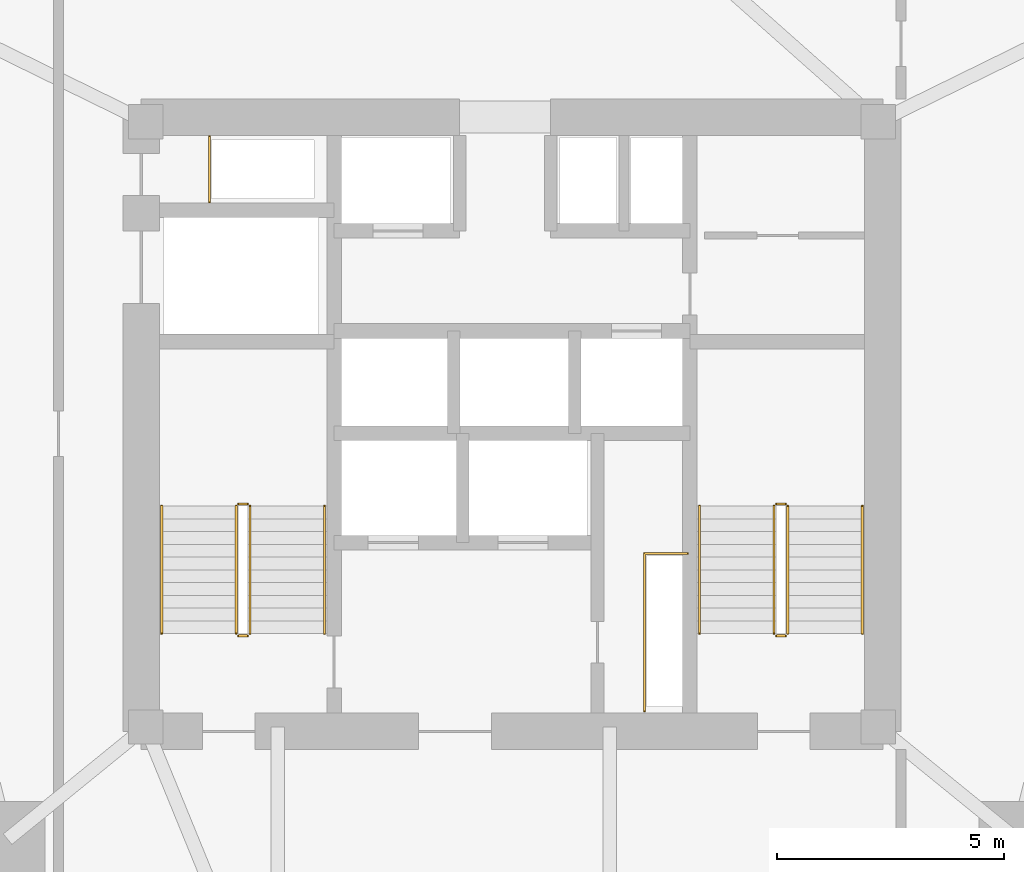
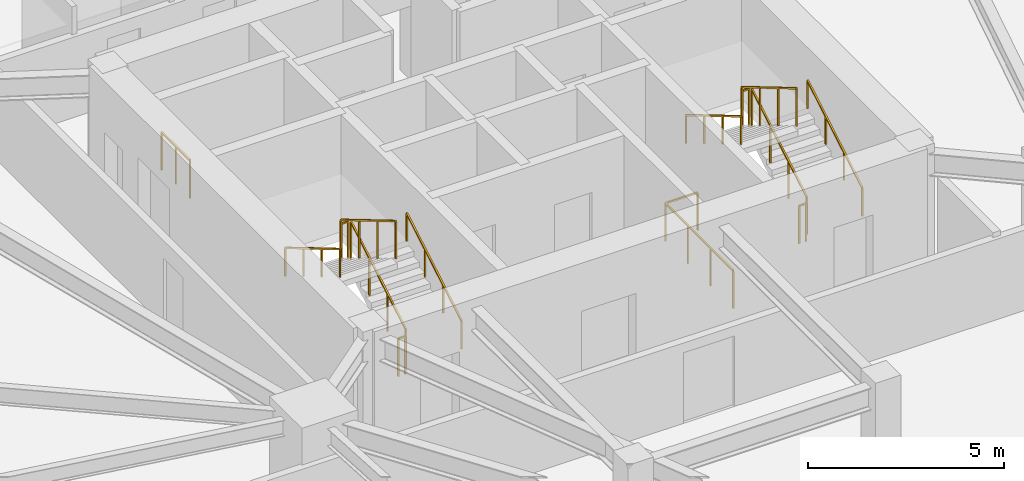
# One storey, part 19 of 20: 14 railings.
"""IFC4 building model written with IfcOpenShell, lengths in metres."""

from ifc_helpers import new_model, si_unit, direction, frame, origin, origin_2d, place, context, subcontext, project, spatial, rectangle, extrude, material, type_object, element, save


model = new_model("IFC4")

# Units and contexts
model_context = context("Model", 3, precision=1e-05, world=origin(), true_north=direction((0.0, 1.0)))
body_context = subcontext(model_context, "Body", "Model", "MODEL_VIEW")
ifc_project = project(units=[si_unit("LENGTHUNIT", "METRE"), si_unit("AREAUNIT", "SQUARE_METRE"), si_unit("VOLUMEUNIT", "CUBIC_METRE"), si_unit("PLANEANGLEUNIT", "RADIAN"), si_unit("MASSUNIT", "GRAM", prefix="KILO")], contexts=[model_context])

# Site, building, storey
site_placement = place(None, origin())
site = spatial("IfcSite", under=ifc_project, at=site_placement, CompositionType="ELEMENT")
building_placement = place(site_placement, origin())
building = spatial("IfcBuilding", under=site, at=building_placement, Name="Talyreon Biosciences Tower", CompositionType="ELEMENT")
storey_placement = place(building_placement, frame((0.0, 0.0, 78.64990234375)))
storey = spatial("IfcBuildingStorey", under=building, at=storey_placement, Name="L20", CompositionType="ELEMENT", Elevation=78.64990234375)

# Railings
ifc_material_1 = material(Name="Brushed stainless-steel tubular handrail", Category="steel")
railing_type_1 = type_object("IfcRailingType", Name="StairWallHandrail_900", PredefinedType="HANDRAIL", material=ifc_material_1)
railing_1_placement = place(storey_placement, frame((61.8798828125, 63.39990234375, 0.166015625)))
element("IfcRailing", 1, at=railing_1_placement, inside=storey, type_object=railing_type_1, Name="L20 ST-1 stair handrail 1", PredefinedType="HANDRAIL", context=body_context, shape_type="SweptSolid", body=[
    extrude(rectangle(XDim=0.048095703125, YDim=0.048095703125, at=origin_2d()), frame((0.0, 0.0, 0.8759765625), z_axis=(0.0, 0.860306154799, 0.50977771628), x_axis=(-1.0, 0.0, 0.0)), (0.0, 0.0, 1.0), 3.254638671875),
    extrude(rectangle(XDim=0.0419921875, YDim=0.0419921875, at=origin_2d()), origin(), (0.0, 0.0, 1.0), 0.851806640625),
    extrude(rectangle(XDim=0.0419921875, YDim=0.0419921875, at=origin_2d()), frame((0.0, 0.933349609375, 0.552978515625)), (0.0, 0.0, 1.0), 0.851806640625),
    extrude(rectangle(XDim=0.0419921875, YDim=0.0419921875, at=origin_2d()), frame((0.0, 1.86669921875, 1.106201171875)), (0.0, 0.0, 1.0), 0.851806640625),
    extrude(rectangle(XDim=0.0419921875, YDim=0.0419921875, at=origin_2d()), frame((0.0, 2.800048828125, 1.6591796875)), (0.0, 0.0, 1.0), 0.851806640625),
])
railing_2_placement = place(storey_placement, frame((58.300048828125, 66.199951171875, 1.990966796875)))
element("IfcRailing", 2, at=railing_2_placement, inside=storey, type_object=railing_type_1, Name="L20 ST-1 stair handrail 2", PredefinedType="HANDRAIL", context=body_context, shape_type="SweptSolid", body=[
    extrude(rectangle(XDim=0.048095703125, YDim=0.048095703125, at=origin_2d()), frame((0.0, 0.0, 0.8759765625), z_axis=(0.0, -0.860306154799, 0.50977771628), x_axis=(1.0, 0.0, 0.0)), (0.0, 0.0, 1.0), 3.254638671875),
    extrude(rectangle(XDim=0.0419921875, YDim=0.0419921875, at=origin_2d()), origin(), (0.0, 0.0, 1.0), 0.851806640625),
    extrude(rectangle(XDim=0.0419921875, YDim=0.0419921875, at=origin_2d()), frame((0.0, -0.933349609375, 0.552978515625)), (0.0, 0.0, 1.0), 0.851806640625),
    extrude(rectangle(XDim=0.0419921875, YDim=0.0419921875, at=origin_2d()), frame((0.0, -1.86669921875, 1.106201171875)), (0.0, 0.0, 1.0), 0.851806640625),
    extrude(rectangle(XDim=0.0419921875, YDim=0.0419921875, at=origin_2d()), frame((0.0, -2.800048828125, 1.6591796875)), (0.0, 0.0, 1.0), 0.851806640625),
])
railing_3_placement = place(storey_placement, frame((73.699951171875, 63.39990234375, 0.166015625)))
element("IfcRailing", 3, at=railing_3_placement, inside=storey, type_object=railing_type_1, Name="L20 ST-2 stair handrail 1", PredefinedType="HANDRAIL", context=body_context, shape_type="SweptSolid", body=[
    extrude(rectangle(XDim=0.048095703125, YDim=0.048095703125, at=origin_2d()), frame((0.0, 0.0, 0.8759765625), z_axis=(0.0, 0.860306154799, 0.50977771628), x_axis=(-1.0, 0.0, 0.0)), (0.0, 0.0, 1.0), 3.254638671875),
    extrude(rectangle(XDim=0.0419921875, YDim=0.0419921875, at=origin_2d()), origin(), (0.0, 0.0, 1.0), 0.851806640625),
    extrude(rectangle(XDim=0.0419921875, YDim=0.0419921875, at=origin_2d()), frame((0.0, 0.933349609375, 0.552978515625)), (0.0, 0.0, 1.0), 0.851806640625),
    extrude(rectangle(XDim=0.0419921875, YDim=0.0419921875, at=origin_2d()), frame((0.0, 1.86669921875, 1.106201171875)), (0.0, 0.0, 1.0), 0.851806640625),
    extrude(rectangle(XDim=0.0419921875, YDim=0.0419921875, at=origin_2d()), frame((0.0, 2.800048828125, 1.6591796875)), (0.0, 0.0, 1.0), 0.851806640625),
])
railing_4_placement = place(storey_placement, frame((70.1201171875, 66.199951171875, 1.990966796875)))
element("IfcRailing", 4, at=railing_4_placement, inside=storey, type_object=railing_type_1, Name="L20 ST-2 stair handrail 2", PredefinedType="HANDRAIL", context=body_context, shape_type="SweptSolid", body=[
    extrude(rectangle(XDim=0.048095703125, YDim=0.048095703125, at=origin_2d()), frame((0.0, 0.0, 0.8759765625), z_axis=(0.0, -0.860306154799, 0.50977771628), x_axis=(1.0, 0.0, 0.0)), (0.0, 0.0, 1.0), 3.254638671875),
    extrude(rectangle(XDim=0.0419921875, YDim=0.0419921875, at=origin_2d()), origin(), (0.0, 0.0, 1.0), 0.851806640625),
    extrude(rectangle(XDim=0.0419921875, YDim=0.0419921875, at=origin_2d()), frame((0.0, -0.933349609375, 0.552978515625)), (0.0, 0.0, 1.0), 0.851806640625),
    extrude(rectangle(XDim=0.0419921875, YDim=0.0419921875, at=origin_2d()), frame((0.0, -1.86669921875, 1.106201171875)), (0.0, 0.0, 1.0), 0.851806640625),
    extrude(rectangle(XDim=0.0419921875, YDim=0.0419921875, at=origin_2d()), frame((0.0, -2.800048828125, 1.6591796875)), (0.0, 0.0, 1.0), 0.851806640625),
])
ifc_material_2 = material(Name="Painted galvanised steel post-and-rail balustrade", Category="steel")
railing_type_2 = type_object("IfcRailingType", Name="TerraceStairGuard_1200", PredefinedType="GUARDRAIL", material=ifc_material_2)
railing_5_placement = place(storey_placement, frame((60.239990234375, 63.39990234375, 0.166015625)))
element("IfcRailing", 5, at=railing_5_placement, inside=storey, type_object=railing_type_2, Name="L20 ST-1 stair guard 1", PredefinedType="GUARDRAIL", context=body_context, shape_type="SweptSolid", body=[
    extrude(rectangle(XDim=0.048095703125, YDim=0.048095703125, at=origin_2d()), frame((0.0, 0.0, 1.17578125), z_axis=(0.0, 0.860306154799, 0.50977771628), x_axis=(-1.0, 0.0, 0.0)), (0.0, 0.0, 1.0), 3.254638671875),
    extrude(rectangle(XDim=0.0419921875, YDim=0.0419921875, at=origin_2d()), origin(), (0.0, 0.0, 1.0), 1.15185546875),
    extrude(rectangle(XDim=0.0419921875, YDim=0.0419921875, at=origin_2d()), frame((0.0, 0.933349609375, 0.552978515625)), (0.0, 0.0, 1.0), 1.15185546875),
    extrude(rectangle(XDim=0.0419921875, YDim=0.0419921875, at=origin_2d()), frame((0.0, 1.86669921875, 1.106201171875)), (0.0, 0.0, 1.0), 1.15185546875),
    extrude(rectangle(XDim=0.0419921875, YDim=0.0419921875, at=origin_2d()), frame((0.0, 2.800048828125, 1.6591796875)), (0.0, 0.0, 1.0), 1.15185546875),
])
railing_6_placement = place(storey_placement, frame((60.18994140625, 66.25, 1.8251953125)))
element("IfcRailing", 6, at=railing_6_placement, inside=storey, type_object=railing_type_2, Name="L20 ST-1 stair guard 2", PredefinedType="GUARDRAIL", context=body_context, shape_type="SweptSolid", body=[
    extrude(rectangle(XDim=0.048095703125, YDim=0.048095703125, at=origin_2d()), frame((0.0, 0.0, 1.17578125), z_axis=(-1.0, 0.0, 0.0), x_axis=(0.0, -1.0, 0.0)), (0.0, 0.0, 1.0), 0.199951171875),
    extrude(rectangle(XDim=0.0419921875, YDim=0.0419921875, at=origin_2d()), origin(), (0.0, 0.0, 1.0), 1.15185546875),
    extrude(rectangle(XDim=0.0419921875, YDim=0.0419921875, at=origin_2d()), frame((-0.199951171875, 0.0, 0.0)), (0.0, 0.0, 1.0), 1.15185546875),
])
railing_7_placement = place(storey_placement, frame((59.93994140625, 66.199951171875, 1.990966796875)))
element("IfcRailing", 7, at=railing_7_placement, inside=storey, type_object=railing_type_2, Name="L20 ST-1 stair guard 3", PredefinedType="GUARDRAIL", context=body_context, shape_type="SweptSolid", body=[
    extrude(rectangle(XDim=0.048095703125, YDim=0.048095703125, at=origin_2d()), frame((0.0, 0.0, 1.17578125), z_axis=(0.0, -0.860306154799, 0.50977771628), x_axis=(1.0, 0.0, 0.0)), (0.0, 0.0, 1.0), 3.254638671875),
    extrude(rectangle(XDim=0.0419921875, YDim=0.0419921875, at=origin_2d()), origin(), (0.0, 0.0, 1.0), 1.15185546875),
    extrude(rectangle(XDim=0.0419921875, YDim=0.0419921875, at=origin_2d()), frame((0.0, -0.933349609375, 0.552978515625)), (0.0, 0.0, 1.0), 1.15185546875),
    extrude(rectangle(XDim=0.0419921875, YDim=0.0419921875, at=origin_2d()), frame((0.0, -1.86669921875, 1.106201171875)), (0.0, 0.0, 1.0), 1.15185546875),
    extrude(rectangle(XDim=0.0419921875, YDim=0.0419921875, at=origin_2d()), frame((0.0, -2.800048828125, 1.6591796875)), (0.0, 0.0, 1.0), 1.15185546875),
])
railing_8_placement = place(storey_placement, frame((60.18994140625, 63.35009765625, 0.0)))
element("IfcRailing", 8, at=railing_8_placement, inside=storey, type_object=railing_type_2, Name="L20 ST-1 stair guard 4", PredefinedType="GUARDRAIL", context=body_context, shape_type="SweptSolid", body=[
    extrude(rectangle(XDim=0.048095703125, YDim=0.048095703125, at=origin_2d()), frame((0.0, 0.0, 1.17578125), z_axis=(-1.0, 0.0, 0.0), x_axis=(0.0, -1.0, 0.0)), (0.0, 0.0, 1.0), 0.199951171875),
    extrude(rectangle(XDim=0.0419921875, YDim=0.0419921875, at=origin_2d()), origin(), (0.0, 0.0, 1.0), 1.15185546875),
    extrude(rectangle(XDim=0.0419921875, YDim=0.0419921875, at=origin_2d()), frame((-0.199951171875, 0.0, 0.0)), (0.0, 0.0, 1.0), 1.15185546875),
])
railing_9_placement = place(storey_placement, frame((72.06005859375, 63.39990234375, 0.166015625)))
element("IfcRailing", 9, at=railing_9_placement, inside=storey, type_object=railing_type_2, Name="L20 ST-2 stair guard 1", PredefinedType="GUARDRAIL", context=body_context, shape_type="SweptSolid", body=[
    extrude(rectangle(XDim=0.048095703125, YDim=0.048095703125, at=origin_2d()), frame((0.0, 0.0, 1.17578125), z_axis=(0.0, 0.860306154799, 0.50977771628), x_axis=(-1.0, 0.0, 0.0)), (0.0, 0.0, 1.0), 3.254638671875),
    extrude(rectangle(XDim=0.0419921875, YDim=0.0419921875, at=origin_2d()), origin(), (0.0, 0.0, 1.0), 1.15185546875),
    extrude(rectangle(XDim=0.0419921875, YDim=0.0419921875, at=origin_2d()), frame((0.0, 0.933349609375, 0.552978515625)), (0.0, 0.0, 1.0), 1.15185546875),
    extrude(rectangle(XDim=0.0419921875, YDim=0.0419921875, at=origin_2d()), frame((0.0, 1.86669921875, 1.106201171875)), (0.0, 0.0, 1.0), 1.15185546875),
    extrude(rectangle(XDim=0.0419921875, YDim=0.0419921875, at=origin_2d()), frame((0.0, 2.800048828125, 1.6591796875)), (0.0, 0.0, 1.0), 1.15185546875),
])
railing_10_placement = place(storey_placement, frame((72.010009765625, 66.25, 1.8251953125)))
element("IfcRailing", 10, at=railing_10_placement, inside=storey, type_object=railing_type_2, Name="L20 ST-2 stair guard 2", PredefinedType="GUARDRAIL", context=body_context, shape_type="SweptSolid", body=[
    extrude(rectangle(XDim=0.048095703125, YDim=0.048095703125, at=origin_2d()), frame((0.0, 0.0, 1.17578125), z_axis=(-1.0, 0.0, 0.0), x_axis=(0.0, -1.0, 0.0)), (0.0, 0.0, 1.0), 0.199951171875),
    extrude(rectangle(XDim=0.0419921875, YDim=0.0419921875, at=origin_2d()), origin(), (0.0, 0.0, 1.0), 1.15185546875),
    extrude(rectangle(XDim=0.0419921875, YDim=0.0419921875, at=origin_2d()), frame((-0.199951171875, 0.0, 0.0)), (0.0, 0.0, 1.0), 1.15185546875),
])
railing_11_placement = place(storey_placement, frame((71.760009765625, 66.199951171875, 1.990966796875)))
element("IfcRailing", 11, at=railing_11_placement, inside=storey, type_object=railing_type_2, Name="L20 ST-2 stair guard 3", PredefinedType="GUARDRAIL", context=body_context, shape_type="SweptSolid", body=[
    extrude(rectangle(XDim=0.048095703125, YDim=0.048095703125, at=origin_2d()), frame((0.0, 0.0, 1.17578125), z_axis=(0.0, -0.860306154799, 0.50977771628), x_axis=(1.0, 0.0, 0.0)), (0.0, 0.0, 1.0), 3.254638671875),
    extrude(rectangle(XDim=0.0419921875, YDim=0.0419921875, at=origin_2d()), origin(), (0.0, 0.0, 1.0), 1.15185546875),
    extrude(rectangle(XDim=0.0419921875, YDim=0.0419921875, at=origin_2d()), frame((0.0, -0.933349609375, 0.552978515625)), (0.0, 0.0, 1.0), 1.15185546875),
    extrude(rectangle(XDim=0.0419921875, YDim=0.0419921875, at=origin_2d()), frame((0.0, -1.86669921875, 1.106201171875)), (0.0, 0.0, 1.0), 1.15185546875),
    extrude(rectangle(XDim=0.0419921875, YDim=0.0419921875, at=origin_2d()), frame((0.0, -2.800048828125, 1.6591796875)), (0.0, 0.0, 1.0), 1.15185546875),
])
railing_12_placement = place(storey_placement, frame((72.010009765625, 63.35009765625, 0.0)))
element("IfcRailing", 12, at=railing_12_placement, inside=storey, type_object=railing_type_2, Name="L20 ST-2 stair guard 4", PredefinedType="GUARDRAIL", context=body_context, shape_type="SweptSolid", body=[
    extrude(rectangle(XDim=0.048095703125, YDim=0.048095703125, at=origin_2d()), frame((0.0, 0.0, 1.17578125), z_axis=(-1.0, 0.0, 0.0), x_axis=(0.0, -1.0, 0.0)), (0.0, 0.0, 1.0), 0.199951171875),
    extrude(rectangle(XDim=0.0419921875, YDim=0.0419921875, at=origin_2d()), origin(), (0.0, 0.0, 1.0), 1.15185546875),
    extrude(rectangle(XDim=0.0419921875, YDim=0.0419921875, at=origin_2d()), frame((-0.199951171875, 0.0, 0.0)), (0.0, 0.0, 1.0), 1.15185546875),
])
railing_13_placement = place(storey_placement, frame((59.35009765625, 72.8798828125, 0.0)))
element("IfcRailing", 13, at=railing_13_placement, inside=storey, type_object=railing_type_2, Name="L20 Exhaust Riser Maintenance Guardrail", PredefinedType="GUARDRAIL", context=body_context, shape_type="SweptSolid", body=[
    extrude(rectangle(XDim=0.048095703125, YDim=0.048095703125, at=origin_2d()), frame((0.0, 0.0, 1.17578125), z_axis=(0.0, 1.0, 0.0), x_axis=(-1.0, 0.0, 0.0)), (0.0, 0.0, 1.0), 1.4501953125),
    extrude(rectangle(XDim=0.0419921875, YDim=0.0419921875, at=origin_2d()), origin(), (0.0, 0.0, 1.0), 1.15185546875),
    extrude(rectangle(XDim=0.0419921875, YDim=0.0419921875, at=origin_2d()), frame((0.0, 0.72509765625, 0.0)), (0.0, 0.0, 1.0), 1.15185546875),
    extrude(rectangle(XDim=0.0419921875, YDim=0.0419921875, at=origin_2d()), frame((0.0, 1.4501953125, 0.0)), (0.0, 0.0, 1.0), 1.15185546875),
])
railing_14_placement = place(storey_placement, frame((68.909912109375, 61.699951171875, 0.0)))
element("IfcRailing", 14, at=railing_14_placement, inside=storey, type_object=railing_type_2, Name="L20 Electrical Riser Maintenance Guardrail", PredefinedType="GUARDRAIL", context=body_context, shape_type="SweptSolid", body=[
    extrude(rectangle(XDim=0.048095703125, YDim=0.048095703125, at=origin_2d()), frame((0.0, 0.0, 1.17578125), z_axis=(0.0, 1.0, 0.0), x_axis=(-1.0, 0.0, 0.0)), (0.0, 0.0, 1.0), 3.4599609375),
    extrude(rectangle(XDim=0.048095703125, YDim=0.048095703125, at=origin_2d()), frame((0.0, 3.4599609375, 1.17578125), z_axis=(1.0, 0.0, 0.0), x_axis=(0.0, 1.0, 0.0)), (0.0, 0.0, 1.0), 0.9501953125),
    extrude(rectangle(XDim=0.0419921875, YDim=0.0419921875, at=origin_2d()), origin(), (0.0, 0.0, 1.0), 1.15185546875),
    extrude(rectangle(XDim=0.0419921875, YDim=0.0419921875, at=origin_2d()), frame((0.0, 1.1533203125, 0.0)), (0.0, 0.0, 1.0), 1.15185546875),
    extrude(rectangle(XDim=0.0419921875, YDim=0.0419921875, at=origin_2d()), frame((0.0, 2.306640625, 0.0)), (0.0, 0.0, 1.0), 1.15185546875),
    extrude(rectangle(XDim=0.0419921875, YDim=0.0419921875, at=origin_2d()), frame((0.0, 3.4599609375, 0.0)), (0.0, 0.0, 1.0), 1.15185546875),
    extrude(rectangle(XDim=0.0419921875, YDim=0.0419921875, at=origin_2d()), frame((0.9501953125, 3.4599609375, 0.0)), (0.0, 0.0, 1.0), 1.15185546875),
])

save(model, "model.ifc")
